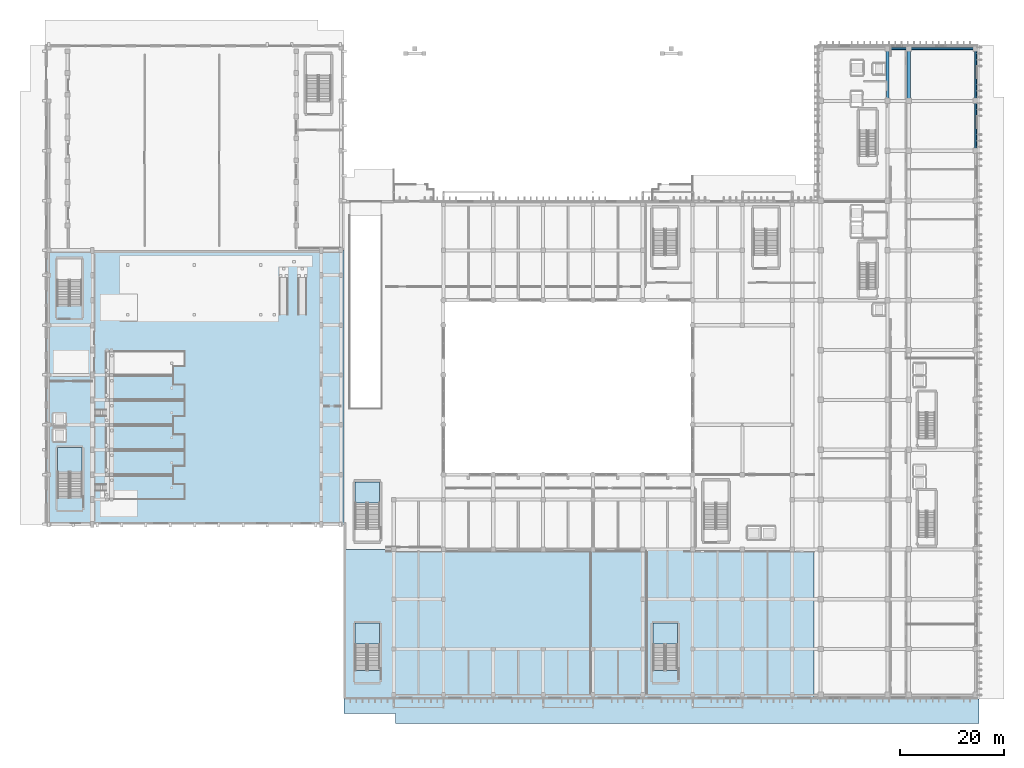
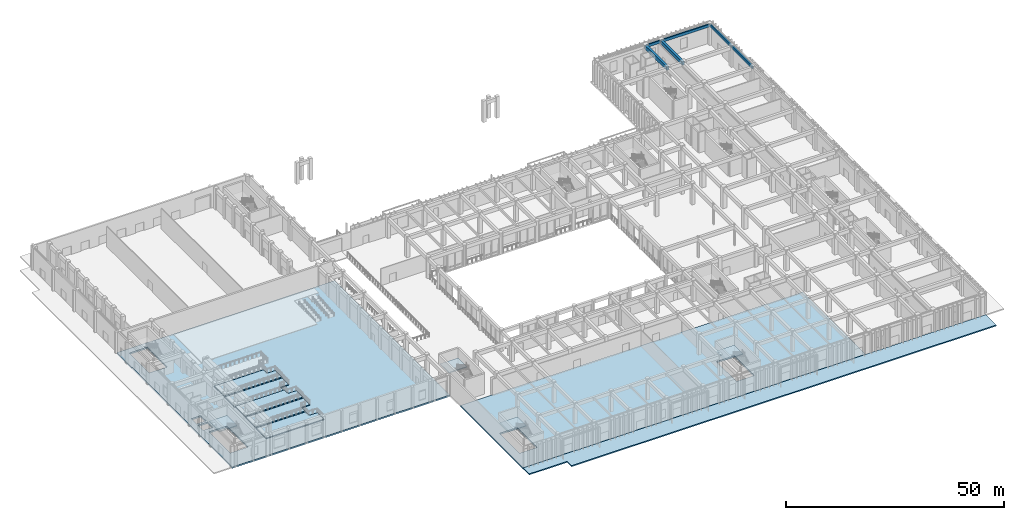
# One storey, part 37 of 87: 12 slabs, 6 beams, 4 elements without a shape of their own.
"""IFC4 building model written with IfcOpenShell, lengths in metres."""

from ifc_helpers import new_model, si_unit, direction, frame, origin, origin_2d, place, context, subcontext, project, spatial, polyline, rectangle, outline, extrude, material, layer, layer_set, material_profile, profile_set, type_object, element, aggregate, save


model = new_model("IFC4")

# Units and contexts
model_context = context("Model", 3, precision=1e-05, world=origin(), true_north=direction((0.0, 1.0)))
body_context = subcontext(model_context, "Body", "Model", "MODEL_VIEW")
ifc_project = project(units=[si_unit("LENGTHUNIT", "METRE"), si_unit("AREAUNIT", "SQUARE_METRE"), si_unit("VOLUMEUNIT", "CUBIC_METRE"), si_unit("PLANEANGLEUNIT", "RADIAN"), si_unit("MASSUNIT", "GRAM", prefix="KILO")], contexts=[model_context])

# Site, building, storey
site_placement = place(None, origin())
site = spatial("IfcSite", under=ifc_project, at=site_placement, CompositionType="ELEMENT")
building_placement = place(site_placement, origin())
building = spatial("IfcBuilding", under=site, at=building_placement, Name="Nakhvara Creek Congress Hotel", CompositionType="ELEMENT")
storey_placement = place(building_placement, origin())
storey = spatial("IfcBuildingStorey", under=building, at=storey_placement, Name="L00", CompositionType="ELEMENT", Elevation=0.0)

# Beams
ifc_material_1 = material(Name="Concrete C50/60", Category="concrete")
ifc_material_profile_1 = material_profile(ifc_material_1, rectangle(XDim=0.6201171875, YDim=1.0, at=origin_2d()), Name="RC-BM 620x1000", Category="LoadBearing")
ifc_profile_set_1 = profile_set([ifc_material_profile_1], Name="Concrete C50/60")
beam_type_1 = type_object("IfcBeamType", Name="BM-RC-620X1000", PredefinedType="BEAM", material=ifc_profile_set_1)
for number, where, z_axis, x_axis, name in (
    (1, (162.35009765625, 115.199951171875, 5.199951171875), (0.0, 1.0, 0.0), (-1.0, 0.0, 0.0), "Beam B16-L00-0986"),
    (2, (166.449951171875, 115.199951171875, 5.199951171875), (0.0, 1.0, 0.0), (-1.0, 0.0, 0.0), "Beam B16-L00-1011"),
):
    element("IfcBeam", number, at=place(storey_placement, frame(where, z_axis=z_axis, x_axis=x_axis)), inside=storey, type_object=beam_type_1, Name=name, PredefinedType="BEAM", context=body_context, shape_type="SweptSolid", body=[
        extrude(rectangle(XDim=0.6201171875, YDim=1.0, at=origin_2d()), origin(), (0.0, 0.0, 1.0), 10.050048828125),
    ])
ifc_material_2 = material(Name="Concrete C40/50", Category="concrete")
ifc_material_profile_2 = material_profile(ifc_material_2, rectangle(XDim=0.35009765625, YDim=0.75, at=origin_2d()), Name="RC-SPANDREL 350x750", Category="LoadBearing")
ifc_profile_set_2 = profile_set([ifc_material_profile_2], Name="Concrete C40/50")
beam_type_2 = type_object("IfcBeamType", Name="BM-SPN-350X750", PredefinedType="SPANDREL", material=ifc_profile_set_2)
beam_1_placement = place(storey_placement, frame((162.35009765625, 125.25, 5.324951171875), z_axis=(1.0, 0.0, 0.0), x_axis=(0.0, 1.0, 0.0)))
element("IfcBeam", 3, at=beam_1_placement, inside=storey, type_object=beam_type_2, Name="Beam SP1-L00-0988", PredefinedType="SPANDREL", context=body_context, shape_type="SweptSolid", body=[
    extrude(rectangle(XDim=0.35009765625, YDim=0.75, at=origin_2d()), origin(), (0.0, 0.0, 1.0), 4.099853515625),
])
beam_2_placement = place(storey_placement, frame((166.449951171875, 125.25, 5.324951171875), z_axis=(1.0, 0.0, 0.0), x_axis=(0.0, 1.0, 0.0)))
element("IfcBeam", 4, at=beam_2_placement, inside=storey, type_object=beam_type_2, Name="Beam SP1-L00-1013", PredefinedType="SPANDREL", context=body_context, shape_type="SweptSolid", body=[
    extrude(rectangle(XDim=0.35009765625, YDim=0.75, at=origin_2d()), origin(), (0.0, 0.0, 1.0), 12.900146484375),
])
beam_3_placement = place(storey_placement, frame((179.35009765625, 105.60009765625, 5.324951171875), z_axis=(0.0, 1.0, 0.0), x_axis=(-1.0, 0.0, 0.0)))
element("IfcBeam", 5, at=beam_3_placement, inside=storey, type_object=beam_type_2, Name="Beam SP1-L00-1025", PredefinedType="SPANDREL", context=body_context, shape_type="SweptSolid", body=[
    extrude(rectangle(XDim=0.35009765625, YDim=0.75, at=origin_2d()), origin(), (0.0, 0.0, 1.0), 9.599853515625),
])
beam_4_placement = place(storey_placement, frame((179.35009765625, 115.199951171875, 5.324951171875), z_axis=(0.0, 1.0, 0.0), x_axis=(-1.0, 0.0, 0.0)))
element("IfcBeam", 6, at=beam_4_placement, inside=storey, type_object=beam_type_2, Name="Beam SP1-L00-1026", PredefinedType="SPANDREL", context=body_context, shape_type="SweptSolid", body=[
    extrude(rectangle(XDim=0.35009765625, YDim=0.75, at=origin_2d()), origin(), (0.0, 0.0, 1.0), 10.050048828125),
])

# Slabs
ifc_layer_1 = layer(ifc_material_2, 0.320068359375)
ifc_layer_set_1 = layer_set([ifc_layer_1], Name="Concrete C40/50")
slab_type_1 = type_object("IfcSlabType", Name="SL-EXT-320", PredefinedType="FLOOR", material=ifc_layer_set_1)
slab_1_placement = place(storey_placement, frame((0.0, 0.0, -0.320068359375)))
element("IfcSlab", 7, at=slab_1_placement, inside=storey, type_object=slab_type_1, Name="Outdoor Terrace Slab SLB-L00-APRON-S", PredefinedType="FLOOR", context=body_context, shape_type="SweptSolid", body=[
    extrude(outline(polyline([(67.60009765625, -4.800048828125), (180.0, -4.800048828125), (180.0, 0.0), (57.60009765625, 0.0), (57.60009765625, -2.800048828125), (67.60009765625, -2.800048828125), (67.60009765625, -4.800048828125)])), origin(), (0.0, 0.0, 1.0), 0.320068359375),
])
ifc_layer_2 = layer(ifc_material_2, 0.419921875)
ifc_layer_set_2 = layer_set([ifc_layer_2], Name="Concrete C40/50")
slab_type_2 = type_object("IfcSlabType", Name="SL-FLR-420", PredefinedType="FLOOR", material=ifc_layer_set_2)
slab_2_placement = place(storey_placement, frame((0.0, 0.0, -0.419921875)))
element("IfcSlab", 8, at=slab_2_placement, inside=storey, type_object=slab_type_2, Name="Structural Slab SLB-L00-V1", PredefinedType="FLOOR", context=body_context, shape_type="SweptSolid", body=[
    extrude(outline(polyline([(0.0, 86.39990234375), (57.60009765625, 86.39990234375), (57.60009765625, 33.60009765625), (0.0, 33.60009765625), (0.0, 86.39990234375)]), holes=[polyline([(2.449951171875, 48.39990234375), (2.449951171875, 38.679931640625), (7.159912109375, 38.679931640625), (7.159912109375, 48.39990234375), (2.449951171875, 48.39990234375)]), polyline([(4.0, 52.0), (1.60009765625, 52.0), (1.60009765625, 49.60009765625), (4.0, 49.60009765625), (4.0, 52.0)]), polyline([(4.0, 55.0), (1.60009765625, 55.0), (1.60009765625, 52.60009765625), (4.0, 52.60009765625), (4.0, 55.0)]), polyline([(2.3701171875, 84.800048828125), (2.3701171875, 75.679931640625), (7.080078125, 75.679931640625), (7.080078125, 84.800048828125), (2.3701171875, 84.800048828125)])]), origin(), (0.0, 0.0, 1.0), 0.419921875),
])
slab_3_placement = place(storey_placement, frame((0.0, 0.0, -0.419921875)))
element("IfcSlab", 9, at=slab_3_placement, inside=storey, type_object=slab_type_2, Name="Structural Slab SLB-L00-V4", PredefinedType="FLOOR", context=body_context, shape_type="SweptSolid", body=[
    extrude(outline(polyline([(57.60009765625, 28.800048828125), (148.199951171875, 28.800048828125), (148.199951171875, 0.0), (57.60009765625, 0.0), (57.60009765625, 28.800048828125)]), holes=[polyline([(59.77001953125, 5.47998046875), (64.47998046875, 5.47998046875), (64.47998046875, 14.60009765625), (59.77001953125, 14.60009765625), (59.77001953125, 5.47998046875)]), polyline([(117.169921875, 5.47998046875), (121.8798828125, 5.47998046875), (121.8798828125, 14.60009765625), (117.169921875, 14.60009765625), (117.169921875, 5.47998046875)])]), origin(), (0.0, 0.0, 1.0), 0.419921875),
])

# Stair, slab
stair_type = type_object("IfcStairType", Name="ST-CORE-230", PredefinedType="HALF_TURN_STAIR", material=ifc_material_2)
stair_1_placement = place(storey_placement, origin())
stair_1 = element("IfcStair", 10, at=stair_1_placement, inside=storey, type_object=stair_type, Name="L00 Protected Exit Stair ST05", PredefinedType="HALF_TURN_STAIR")
ifc_layer_3 = layer(ifc_material_2, 0.199951171875)
ifc_layer_set_3 = layer_set([ifc_layer_3], Name="Concrete C40/50")
slab_type_3 = type_object("IfcSlabType", Name="SL-LAND-200", PredefinedType="LANDING", material=ifc_layer_set_3)
slab_4_placement = place(storey_placement, frame((0.0, 0.0, 2.800048828125)))
slab_4 = element("IfcSlab", 11, at=slab_4_placement, type_object=slab_type_3, Name="ST05 landing 1", PredefinedType="LANDING", context=body_context, shape_type="SweptSolid", body=[
    extrude(outline(polyline([(7.159912109375, 43.719970703125), (7.159912109375, 48.39990234375), (2.449951171875, 48.39990234375), (2.449951171875, 43.719970703125), (7.159912109375, 43.719970703125)])), origin(), (0.0, 0.0, 1.0), 0.199951171875),
])
aggregate(stair_1, [slab_4])

stair_2_placement = place(storey_placement, origin())
stair_2 = element("IfcStair", 12, at=stair_2_placement, inside=storey, type_object=stair_type, Name="L00 Protected Exit Stair ST11", PredefinedType="HALF_TURN_STAIR")
slab_5_placement = place(storey_placement, frame((0.0, 0.0, 2.800048828125)))
slab_5 = element("IfcSlab", 13, at=slab_5_placement, type_object=slab_type_3, Name="ST11 landing 1", PredefinedType="LANDING", context=body_context, shape_type="SweptSolid", body=[
    extrude(outline(polyline([(64.47998046875, 10.52001953125), (64.47998046875, 14.60009765625), (59.77001953125, 14.60009765625), (59.77001953125, 10.52001953125), (64.47998046875, 10.52001953125)])), origin(), (0.0, 0.0, 1.0), 0.199951171875),
])
aggregate(stair_2, [slab_5])

stair_3_placement = place(storey_placement, origin())
stair_3 = element("IfcStair", 14, at=stair_3_placement, inside=storey, type_object=stair_type, Name="L00 Protected Exit Stair ST12", PredefinedType="HALF_TURN_STAIR")
slab_6_placement = place(storey_placement, frame((0.0, 0.0, 2.800048828125)))
slab_6 = element("IfcSlab", 15, at=slab_6_placement, type_object=slab_type_3, Name="ST12 landing 1", PredefinedType="LANDING", context=body_context, shape_type="SweptSolid", body=[
    extrude(outline(polyline([(121.8798828125, 10.52001953125), (121.8798828125, 14.60009765625), (117.169921875, 14.60009765625), (117.169921875, 10.52001953125), (121.8798828125, 10.52001953125)])), origin(), (0.0, 0.0, 1.0), 0.199951171875),
])
aggregate(stair_3, [slab_6])

stair_4_placement = place(storey_placement, origin())
stair_4 = element("IfcStair", 16, at=stair_4_placement, inside=storey, type_object=stair_type, Name="L00 Protected Exit Stair ST13", PredefinedType="HALF_TURN_STAIR")
slab_7_placement = place(storey_placement, frame((0.0, 0.0, 2.800048828125)))
slab_7 = element("IfcSlab", 17, at=slab_7_placement, type_object=slab_type_3, Name="ST13 landing 1", PredefinedType="LANDING", context=body_context, shape_type="SweptSolid", body=[
    extrude(outline(polyline([(64.47998046875, 37.719970703125), (64.47998046875, 41.800048828125), (59.77001953125, 41.800048828125), (59.77001953125, 37.719970703125), (64.47998046875, 37.719970703125)])), origin(), (0.0, 0.0, 1.0), 0.199951171875),
])
aggregate(stair_4, [slab_7])

# Slabs
ifc_material_3 = material(Name="Precast concrete C40/50", Category="concrete")
ifc_layer_4 = layer(ifc_material_3, 0.18994140625)
ifc_layer_set_4 = layer_set([ifc_layer_4], Name="Precast concrete C40/50")
slab_type_4 = type_object("IfcSlabType", Name="SL-TIER-190", PredefinedType="USERDEFINED", material=ifc_layer_set_4)
slab_8_placement = place(storey_placement, frame((0.0, 0.0, 0.860107421875)))
element("IfcSlab", 18, at=slab_8_placement, inside=storey, type_object=slab_type_4, Name="Stand Lower Tier Bay 1", ObjectType="SEATING TIER", PredefinedType="USERDEFINED", context=body_context, shape_type="SweptSolid", body=[
    extrude(outline(polyline([(11.75, 38.39990234375), (27.0, 38.39990234375), (27.0, 41.39990234375), (24.800048828125, 41.39990234375), (24.800048828125, 43.0), (11.75, 43.0), (11.75, 38.39990234375)])), origin(), (0.0, 0.0, 1.0), 0.18994140625),
])
slab_9_placement = place(storey_placement, frame((0.0, 0.0, 1.010009765625)))
element("IfcSlab", 19, at=slab_9_placement, inside=storey, type_object=slab_type_4, Name="Stand Lower Tier Bay 2", ObjectType="SEATING TIER", PredefinedType="USERDEFINED", context=body_context, shape_type="SweptSolid", body=[
    extrude(outline(polyline([(11.75, 43.199951171875), (24.800048828125, 43.199951171875), (24.800048828125, 44.800048828125), (27.0, 44.800048828125), (27.0, 47.800048828125), (11.75, 47.800048828125), (11.75, 43.199951171875)])), origin(), (0.0, 0.0, 1.0), 0.18994140625),
])
slab_10_placement = place(storey_placement, frame((0.0, 0.0, 1.159912109375)))
element("IfcSlab", 20, at=slab_10_placement, inside=storey, type_object=slab_type_4, Name="Stand Lower Tier Bay 3", ObjectType="SEATING TIER", PredefinedType="USERDEFINED", context=body_context, shape_type="SweptSolid", body=[
    extrude(outline(polyline([(11.75, 48.0), (27.0, 48.0), (27.0, 51.0), (24.800048828125, 51.0), (24.800048828125, 52.60009765625), (11.75, 52.60009765625), (11.75, 48.0)])), origin(), (0.0, 0.0, 1.0), 0.190185546875),
])
slab_11_placement = place(storey_placement, frame((0.0, 0.0, 0.860107421875)))
element("IfcSlab", 21, at=slab_11_placement, inside=storey, type_object=slab_type_4, Name="Stand Lower Tier Bay 4", ObjectType="SEATING TIER", PredefinedType="USERDEFINED", context=body_context, shape_type="SweptSolid", body=[
    extrude(outline(polyline([(11.75, 52.800048828125), (24.800048828125, 52.800048828125), (24.800048828125, 54.39990234375), (27.0, 54.39990234375), (27.0, 57.39990234375), (11.75, 57.39990234375), (11.75, 52.800048828125)])), origin(), (0.0, 0.0, 1.0), 0.18994140625),
])
slab_12_placement = place(storey_placement, frame((0.0, 0.0, 1.010009765625)))
element("IfcSlab", 22, at=slab_12_placement, inside=storey, type_object=slab_type_4, Name="Stand Lower Tier Bay 5", ObjectType="SEATING TIER", PredefinedType="USERDEFINED", context=body_context, shape_type="SweptSolid", body=[
    extrude(outline(polyline([(11.75, 57.60009765625), (27.0, 57.60009765625), (27.0, 60.60009765625), (24.800048828125, 60.60009765625), (24.800048828125, 62.199951171875), (11.75, 62.199951171875), (11.75, 57.60009765625)])), origin(), (0.0, 0.0, 1.0), 0.18994140625),
])

save(model, "model.ifc")
